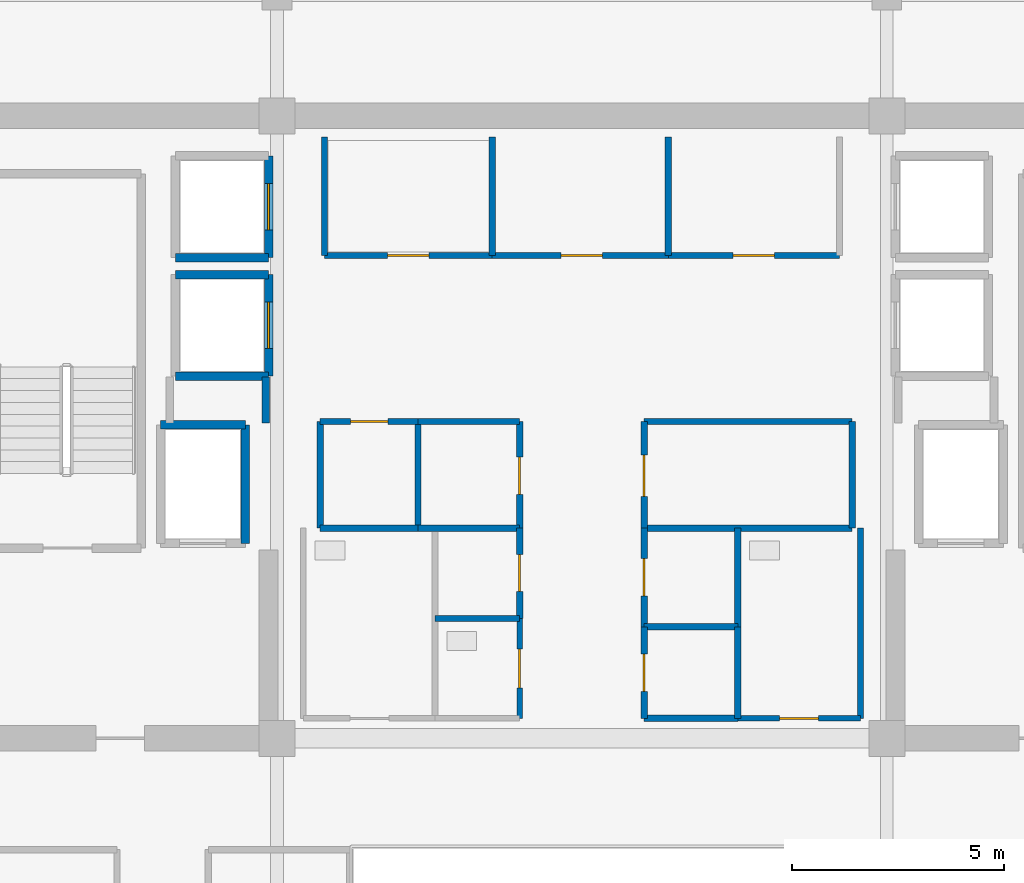
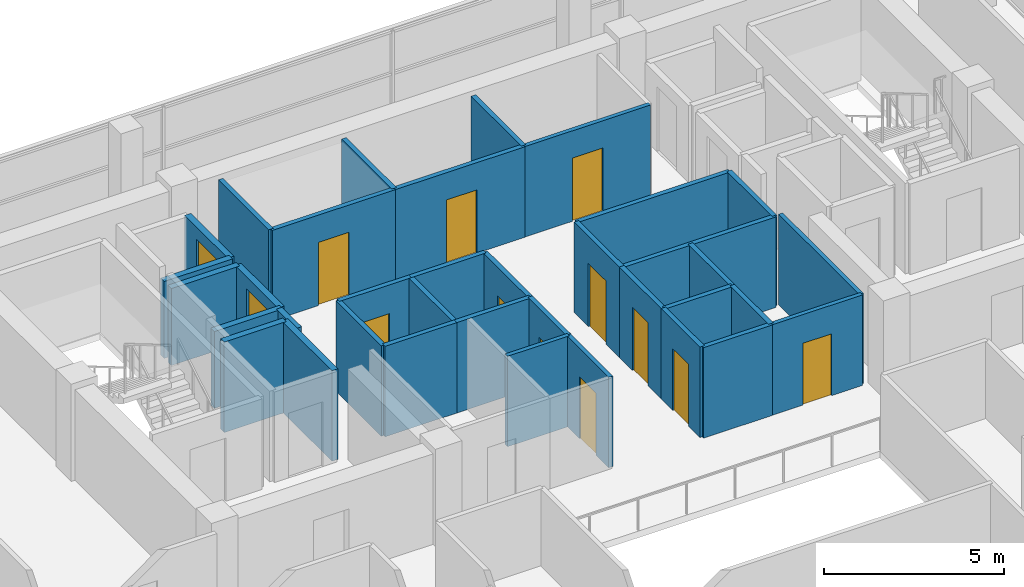
# One storey, part 16 of 22: 36 walls, 13 doors, 13 openings.
"""IFC4 building model written with IfcOpenShell, lengths in metres."""

from ifc_helpers import new_model, si_unit, direction, frame, frame_2d, origin, place, context, subcontext, project, spatial, rectangle, extrude, source, transform, mapped, material, layer, layer_set, type_object, element, fill, save


model = new_model("IFC4")

# Units and contexts
model_context = context("Model", 3, precision=1e-05, world=origin(), true_north=direction((0.0, 1.0)))
body_context = subcontext(model_context, "Body", "Model", "MODEL_VIEW")
ifc_project = project(units=[si_unit("LENGTHUNIT", "METRE"), si_unit("AREAUNIT", "SQUARE_METRE"), si_unit("VOLUMEUNIT", "CUBIC_METRE"), si_unit("PLANEANGLEUNIT", "RADIAN"), si_unit("MASSUNIT", "GRAM", prefix="KILO")], contexts=[model_context])

# Site, building, storey
site_placement = place(None, origin())
site = spatial("IfcSite", under=ifc_project, at=site_placement, CompositionType="ELEMENT")
building_placement = place(site_placement, origin())
building = spatial("IfcBuilding", under=site, at=building_placement, Name="Zarnakvel Exchange Tower", CompositionType="ELEMENT")
storey_placement = place(building_placement, frame((0.0, 0.0, 222.10009765625)))
storey = spatial("IfcBuildingStorey", under=building, at=storey_placement, Name="L62", CompositionType="ELEMENT", Elevation=222.10009765625)

# Wall, opening, door
ifc_material_1 = material(Name="Fire-Rated Gypsum Stud Partition", Category="gypsum")
ifc_layer_1 = layer(ifc_material_1, 0.14990234375)
ifc_layer_set_1 = layer_set([ifc_layer_1], Name="Fire-Rated Gypsum Stud Partition")
wall_type_1 = type_object("IfcWallType", Name="PT-01", PredefinedType="PARTITIONING", material=ifc_layer_set_1)
wall_1_placement = place(storey_placement, frame((-2.1201171875, 10.199951171875, 0.0), z_axis=(0.0, 0.0, 1.0), x_axis=(-1.0, 0.0, 0.0)))
wall_1 = element("IfcWall", 1, at=wall_1_placement, inside=storey, type_object=wall_type_1, Name="L62 Partition Wall PWALL-L62-011 (PT-01)", PredefinedType="PARTITIONING", context=body_context, shape_type="SweptSolid", body=[
    extrude(rectangle(XDim=3.9599609375, YDim=0.14990234375, at=frame_2d((1.97998046875, 0.0))), origin(), (0.0, 0.0, 1.0), 3.074951171875),
])
opening_1_placement = place(wall_1_placement, frame((1.489990234375, 0.0, 0.0)))
opening_1 = element("IfcOpeningElement", 2, at=opening_1_placement, cuts=wall_1, Name="Opening D-L62-05", PredefinedType="OPENING", context=body_context, shape_type="SweptSolid", body=[
    extrude(rectangle(XDim=0.97998046875, YDim=2.14990234375, at=frame_2d((0.489990234375, 1.074951171875))), frame((0.0, 0.0849609375, 0.0), z_axis=(0.0, -1.0, 0.0), x_axis=(1.0, 0.0, 0.0)), (0.0, 0.0, 1.0), 0.169921875),
])
ifc_material_2 = material(Name="Timber Acoustic Veneer", Category="wood")
door_type_1 = type_object("IfcDoorType", Name="DT-05", OperationType="NOTDEFINED", PredefinedType="DOOR", material=ifc_material_2)
shared_shape_1 = source(origin(), body_context, "Body", "SweptSolid", [
    extrude(rectangle(XDim=0.97998046875, YDim=2.14990234375, at=frame_2d((0.489990234375, 1.074951171875))), frame((0.0, 0.02490234375, 0.0), z_axis=(0.0, -1.0, 0.0), x_axis=(1.0, 0.0, 0.0)), (0.0, 0.0, 1.0), 0.050048828125),
])
door_1_placement = place(opening_1_placement, origin())
door_1 = element("IfcDoor", 3, at=door_1_placement, inside=storey, type_object=door_type_1, Name="L62 Clearing Records Office Door D-L62-05", OperationType="SINGLE_SWING_LEFT", OverallHeight=2.14990234375, OverallWidth=0.97998046875, PredefinedType="DOOR", context=body_context, shape_type="MappedRepresentation", body=[
    mapped(shared_shape_1, transform((0.0, 0.0, 0.0), x_axis=(1.0, 0.0, 0.0), y_axis=(0.0, 1.0, 0.0), z_axis=(0.0, 0.0, 1.0), scale=1.0)),
])
fill(opening_1, door_1)

# Walls
for number, where, z_axis, x_axis, name in (
    (4, (-6.080078125, 10.199951171875, 0.0), (0.0, 0.0, 1.0), (0.0, 1.0, 0.0), "L62 Partition Wall PWALL-L62-012 (PT-01)"),
    (5, (-2.1201171875, 13.0, 0.0), (0.0, 0.0, 1.0), (0.0, -1.0, 0.0), "L62 Partition Wall PWALL-L62-013 (PT-01)"),
):
    element("IfcWall", number, at=place(storey_placement, frame(where, z_axis=z_axis, x_axis=x_axis)), inside=storey, type_object=wall_type_1, Name=name, PredefinedType="PARTITIONING", context=body_context, shape_type="SweptSolid", body=[
        extrude(rectangle(XDim=2.800048828125, YDim=0.14990234375, at=frame_2d((1.39990234375, 0.0))), origin(), (0.0, 0.0, 1.0), 3.074951171875),
    ])

# Wall, opening, door
wall_2_placement = place(storey_placement, frame((2.0400390625, 10.199951171875, 0.0), z_axis=(0.0, 0.0, 1.0), x_axis=(-1.0, 0.0, 0.0)))
wall_2 = element("IfcWall", 6, at=wall_2_placement, inside=storey, type_object=wall_type_1, Name="L62 Partition Wall PWALL-L62-014 (PT-01)", PredefinedType="PARTITIONING", context=body_context, shape_type="SweptSolid", body=[
    extrude(rectangle(XDim=4.16015625, YDim=0.14990234375, at=frame_2d((2.080078125, 0.0))), origin(), (0.0, 0.0, 1.0), 3.074951171875),
])
opening_2_placement = place(wall_2_placement, frame((1.550048828125, 0.0, 0.0)))
opening_2 = element("IfcOpeningElement", 7, at=opening_2_placement, cuts=wall_2, Name="Opening D-L62-06", PredefinedType="OPENING", context=body_context, shape_type="SweptSolid", body=[
    extrude(rectangle(XDim=0.97998046875, YDim=2.14990234375, at=frame_2d((0.489990234375, 1.074951171875))), frame((0.0, 0.0849609375, 0.0), z_axis=(0.0, -1.0, 0.0), x_axis=(1.0, 0.0, 0.0)), (0.0, 0.0, 1.0), 0.169921875),
])
door_2_placement = place(opening_2_placement, origin())
door_2 = element("IfcDoor", 8, at=door_2_placement, inside=storey, type_object=door_type_1, Name="L62 Brokerage Filing Room Door D-L62-06", OperationType="SINGLE_SWING_RIGHT", OverallHeight=2.14990234375, OverallWidth=0.97998046875, PredefinedType="DOOR", context=body_context, shape_type="MappedRepresentation", body=[
    mapped(shared_shape_1, transform((0.0, 0.0, 0.0), x_axis=(1.0, 0.0, 0.0), y_axis=(0.0, 1.0, 0.0), z_axis=(0.0, 0.0, 1.0), scale=1.0)),
])
fill(opening_2, door_2)

# Walls
wall_3_placement = place(storey_placement, frame((2.0400390625, 13.0, 0.0), z_axis=(0.0, 0.0, 1.0), x_axis=(0.0, -1.0, 0.0)))
element("IfcWall", 9, at=wall_3_placement, inside=storey, type_object=wall_type_1, Name="L62 Partition Wall PWALL-L62-015 (PT-01)", PredefinedType="PARTITIONING", context=body_context, shape_type="SweptSolid", body=[
    extrude(rectangle(XDim=2.800048828125, YDim=0.14990234375, at=frame_2d((1.39990234375, 0.0))), origin(), (0.0, 0.0, 1.0), 3.074951171875),
])
wall_4_placement = place(storey_placement, frame((-3.8701171875, 3.760009765625, 0.0), z_axis=(0.0, 0.0, 1.0), x_axis=(-1.0, 0.0, 0.0)))
element("IfcWall", 10, at=wall_4_placement, inside=storey, type_object=wall_type_1, Name="L62 Partition Wall PWALL-L62-018 (PT-01)", PredefinedType="PARTITIONING", context=body_context, shape_type="SweptSolid", body=[
    extrude(rectangle(XDim=2.309814453125, YDim=0.14990234375, at=frame_2d((1.15478515625, 0.0))), origin(), (0.0, 0.0, 1.0), 3.074951171875),
])

# Wall, opening, door
wall_5_placement = place(storey_placement, frame((-6.179931640625, 6.280029296875, 0.0), z_axis=(0.0, 0.0, 1.0), x_axis=(1.0, 0.0, 0.0)))
wall_5 = element("IfcWall", 11, at=wall_5_placement, inside=storey, type_object=wall_type_1, Name="L62 Partition Wall PWALL-L62-019 (PT-01)", PredefinedType="PARTITIONING", context=body_context, shape_type="SweptSolid", body=[
    extrude(rectangle(XDim=2.309814453125, YDim=0.14990234375, at=frame_2d((1.15478515625, 0.0))), origin(), (0.0, 0.0, 1.0), 3.074951171875),
])
opening_3_placement = place(wall_5_placement, frame((0.719970703125, 0.0, 0.0)))
opening_3 = element("IfcOpeningElement", 12, at=opening_3_placement, cuts=wall_5, Name="Opening D-L62-08", PredefinedType="OPENING", context=body_context, shape_type="SweptSolid", body=[
    extrude(rectangle(XDim=0.8798828125, YDim=2.10009765625, at=frame_2d((0.43994140625, 1.050048828125))), frame((0.0, 0.0849609375, 0.0), z_axis=(0.0, -1.0, 0.0), x_axis=(1.0, 0.0, 0.0)), (0.0, 0.0, 1.0), 0.169921875),
])
ifc_material_3 = material(Name="Painted Galvanised Steel S355", Category="steel")
door_type_2 = type_object("IfcDoorType", Name="DT-08", OperationType="NOTDEFINED", PredefinedType="DOOR", material=ifc_material_3)
shared_shape_2 = source(origin(), body_context, "Body", "SweptSolid", [
    extrude(rectangle(XDim=0.8798828125, YDim=2.10009765625, at=frame_2d((0.43994140625, 1.050048828125))), frame((0.0, 0.02490234375, 0.0), z_axis=(0.0, -1.0, 0.0), x_axis=(1.0, 0.0, 0.0)), (0.0, 0.0, 1.0), 0.050048828125),
])
door_3_placement = place(opening_3_placement, origin())
door_3 = element("IfcDoor", 13, at=door_3_placement, inside=storey, type_object=door_type_2, Name="L62 Audit Filing Store Door D-L62-08", OperationType="SINGLE_SWING_RIGHT", OverallHeight=2.10009765625, OverallWidth=0.8798828125, PredefinedType="DOOR", context=body_context, shape_type="MappedRepresentation", body=[
    mapped(shared_shape_2, transform((0.0, 0.0, 0.0), x_axis=(1.0, 0.0, 0.0), y_axis=(0.0, 1.0, 0.0), z_axis=(0.0, 0.0, 1.0), scale=1.0)),
])
fill(opening_3, door_3)

# Walls
for number, where, z_axis, x_axis, name in (
    (14, (-6.179931640625, 3.760009765625, 0.0), (0.0, 0.0, 1.0), (0.0, 1.0, 0.0), "L62 Partition Wall PWALL-L62-020 (PT-01)"),
    (15, (-3.8701171875, 6.280029296875, 0.0), (0.0, 0.0, 1.0), (0.0, -1.0, 0.0), "L62 Partition Wall PWALL-L62-021 (PT-01)"),
):
    element("IfcWall", number, at=place(storey_placement, frame(where, z_axis=z_axis, x_axis=x_axis)), inside=storey, type_object=wall_type_1, Name=name, PredefinedType="PARTITIONING", context=body_context, shape_type="SweptSolid", body=[
        extrude(rectangle(XDim=2.52001953125, YDim=0.14990234375, at=frame_2d((1.260009765625, 0.0))), origin(), (0.0, 0.0, 1.0), 3.074951171875),
    ])
for number, where, z_axis, x_axis, name in (
    (16, (-1.469970703125, 3.760009765625, 0.0), (0.0, 0.0, 1.0), (-1.0, 0.0, 0.0), "L62 Partition Wall PWALL-L62-022 (PT-01)"),
    (17, (-3.8701171875, 6.280029296875, 0.0), (0.0, 0.0, 1.0), (1.0, 0.0, 0.0), "L62 Partition Wall PWALL-L62-023 (PT-01)"),
):
    element("IfcWall", number, at=place(storey_placement, frame(where, z_axis=z_axis, x_axis=x_axis)), inside=storey, type_object=wall_type_1, Name=name, PredefinedType="PARTITIONING", context=body_context, shape_type="SweptSolid", body=[
        extrude(rectangle(XDim=2.400146484375, YDim=0.14990234375, at=frame_2d((1.2001953125, 0.0))), origin(), (0.0, 0.0, 1.0), 3.074951171875),
    ])

# Wall, opening, door
wall_6_placement = place(storey_placement, frame((-1.469970703125, 6.280029296875, 0.0), z_axis=(0.0, 0.0, 1.0), x_axis=(0.0, -1.0, 0.0)))
wall_6 = element("IfcWall", 18, at=wall_6_placement, inside=storey, type_object=wall_type_1, Name="L62 Partition Wall PWALL-L62-024 (PT-01)", PredefinedType="PARTITIONING", context=body_context, shape_type="SweptSolid", body=[
    extrude(rectangle(XDim=2.52001953125, YDim=0.14990234375, at=frame_2d((1.260009765625, 0.0))), origin(), (0.0, 0.0, 1.0), 3.074951171875),
])
opening_4_placement = place(wall_6_placement, frame((0.840087890625, 0.0, 0.0)))
opening_4 = element("IfcOpeningElement", 19, at=opening_4_placement, cuts=wall_6, Name="Opening D-L62-09", PredefinedType="OPENING", context=body_context, shape_type="SweptSolid", body=[
    extrude(rectangle(XDim=0.8798828125, YDim=2.10009765625, at=frame_2d((0.43994140625, 1.050048828125))), frame((0.0, 0.0849609375, 0.0), z_axis=(0.0, -1.0, 0.0), x_axis=(1.0, 0.0, 0.0)), (0.0, 0.0, 1.0), 0.169921875),
])
door_4_placement = place(opening_4_placement, origin())
door_4 = element("IfcDoor", 20, at=door_4_placement, inside=storey, type_object=door_type_2, Name="L62 Core Records Store Door D-L62-09", OperationType="SINGLE_SWING_LEFT", OverallHeight=2.10009765625, OverallWidth=0.8798828125, PredefinedType="DOOR", context=body_context, shape_type="MappedRepresentation", body=[
    mapped(shared_shape_2, transform((0.0, 0.0, 0.0), x_axis=(1.0, 0.0, 0.0), y_axis=(0.0, 1.0, 0.0), z_axis=(0.0, 0.0, 1.0), scale=1.0)),
])
fill(opening_4, door_4)

# Walls
for number, where, z_axis, x_axis, name in (
    (21, (6.3798828125, 3.760009765625, 0.0), (0.0, 0.0, 1.0), (-1.0, 0.0, 0.0), "L62 Partition Wall PWALL-L62-025 (PT-01)"),
    (22, (1.469970703125, 6.280029296875, 0.0), (0.0, 0.0, 1.0), (1.0, 0.0, 0.0), "L62 Partition Wall PWALL-L62-026 (PT-01)"),
):
    element("IfcWall", number, at=place(storey_placement, frame(where, z_axis=z_axis, x_axis=x_axis)), inside=storey, type_object=wall_type_1, Name=name, PredefinedType="PARTITIONING", context=body_context, shape_type="SweptSolid", body=[
        extrude(rectangle(XDim=4.909912109375, YDim=0.14990234375, at=frame_2d((2.455078125, 0.0))), origin(), (0.0, 0.0, 1.0), 3.074951171875),
    ])

# Wall, opening, door
wall_7_placement = place(storey_placement, frame((1.469970703125, 3.760009765625, 0.0), z_axis=(0.0, 0.0, 1.0), x_axis=(0.0, 1.0, 0.0)))
wall_7 = element("IfcWall", 23, at=wall_7_placement, inside=storey, type_object=wall_type_1, Name="L62 Partition Wall PWALL-L62-027 (PT-01)", PredefinedType="PARTITIONING", context=body_context, shape_type="SweptSolid", body=[
    extrude(rectangle(XDim=2.52001953125, YDim=0.14990234375, at=frame_2d((1.260009765625, 0.0))), origin(), (0.0, 0.0, 1.0), 3.074951171875),
])
opening_5_placement = place(wall_7_placement, frame((0.75, 0.0, 0.0)))
opening_5 = element("IfcOpeningElement", 24, at=opening_5_placement, cuts=wall_7, Name="Opening D-L62-10", PredefinedType="OPENING", context=body_context, shape_type="SweptSolid", body=[
    extrude(rectangle(XDim=0.97998046875, YDim=2.14990234375, at=frame_2d((0.489990234375, 1.074951171875))), frame((0.0, 0.0849609375, 0.0), z_axis=(0.0, -1.0, 0.0), x_axis=(1.0, 0.0, 0.0)), (0.0, 0.0, 1.0), 0.169921875),
])
door_5_placement = place(opening_5_placement, origin())
door_5 = element("IfcDoor", 25, at=door_5_placement, inside=storey, type_object=door_type_1, Name="L62 Telemetry Server Suite Door D-L62-10", OperationType="SINGLE_SWING_RIGHT", OverallHeight=2.14990234375, OverallWidth=0.97998046875, PredefinedType="DOOR", context=body_context, shape_type="MappedRepresentation", body=[
    mapped(shared_shape_1, transform((0.0, 0.0, 0.0), x_axis=(1.0, 0.0, 0.0), y_axis=(0.0, 1.0, 0.0), z_axis=(0.0, 0.0, 1.0), scale=1.0)),
])
fill(opening_5, door_5)

# Wall
wall_8_placement = place(storey_placement, frame((6.3798828125, 6.280029296875, 0.0), z_axis=(0.0, 0.0, 1.0), x_axis=(0.0, -1.0, 0.0)))
element("IfcWall", 26, at=wall_8_placement, inside=storey, type_object=wall_type_1, Name="L62 Partition Wall PWALL-L62-028 (PT-01)", PredefinedType="PARTITIONING", context=body_context, shape_type="SweptSolid", body=[
    extrude(rectangle(XDim=2.52001953125, YDim=0.14990234375, at=frame_2d((1.260009765625, 0.0))), origin(), (0.0, 0.0, 1.0), 3.074951171875),
])

# Wall, opening, door
wall_9_placement = place(storey_placement, frame((-1.469970703125, 3.760009765625, 0.0), z_axis=(0.0, 0.0, 1.0), x_axis=(0.0, -1.0, 0.0)))
wall_9 = element("IfcWall", 27, at=wall_9_placement, inside=storey, type_object=wall_type_1, Name="L62 Partition Wall PWALL-L62-035 (PT-01)", PredefinedType="PARTITIONING", context=body_context, shape_type="SweptSolid", body=[
    extrude(rectangle(XDim=2.130126953125, YDim=0.14990234375, at=frame_2d((1.06494140625, 0.0))), origin(), (0.0, 0.0, 1.0), 3.074951171875),
])
opening_6_placement = place(wall_9_placement, frame((0.6201171875, 0.0, 0.0)))
opening_6 = element("IfcOpeningElement", 28, at=opening_6_placement, cuts=wall_9, Name="Opening D-L62-13", PredefinedType="OPENING", context=body_context, shape_type="SweptSolid", body=[
    extrude(rectangle(XDim=0.8798828125, YDim=2.10009765625, at=frame_2d((0.43994140625, 1.050048828125))), frame((0.0, 0.0849609375, 0.0), z_axis=(0.0, -1.0, 0.0), x_axis=(1.0, 0.0, 0.0)), (0.0, 0.0, 1.0), 0.169921875),
])
door_6_placement = place(opening_6_placement, origin())
door_6 = element("IfcDoor", 29, at=door_6_placement, inside=storey, type_object=door_type_2, Name="L62 Core Comms Room Door D-L62-13", OperationType="SINGLE_SWING_LEFT", OverallHeight=2.10009765625, OverallWidth=0.8798828125, PredefinedType="DOOR", context=body_context, shape_type="MappedRepresentation", body=[
    mapped(shared_shape_2, transform((0.0, 0.0, 0.0), x_axis=(1.0, 0.0, 0.0), y_axis=(0.0, 1.0, 0.0), z_axis=(0.0, 0.0, 1.0), scale=1.0)),
])
fill(opening_6, door_6)

# Walls
for number, where, z_axis, x_axis, name in (
    (30, (3.679931640625, -0.72998046875, 0.0), (0.0, 0.0, 1.0), (-1.0, 0.0, 0.0), "L62 Partition Wall PWALL-L62-036 (PT-01)"),
    (31, (1.469970703125, 1.429931640625, 0.0), (0.0, 0.0, 1.0), (1.0, 0.0, 0.0), "L62 Partition Wall PWALL-L62-037 (PT-01)"),
):
    element("IfcWall", number, at=place(storey_placement, frame(where, z_axis=z_axis, x_axis=x_axis)), inside=storey, type_object=wall_type_1, Name=name, PredefinedType="PARTITIONING", context=body_context, shape_type="SweptSolid", body=[
        extrude(rectangle(XDim=2.2099609375, YDim=0.14990234375, at=frame_2d((1.10498046875, 0.0))), origin(), (0.0, 0.0, 1.0), 3.074951171875),
    ])

# Wall, opening, door
wall_10_placement = place(storey_placement, frame((1.469970703125, -0.72998046875, 0.0), z_axis=(0.0, 0.0, 1.0), x_axis=(0.0, 1.0, 0.0)))
wall_10 = element("IfcWall", 32, at=wall_10_placement, inside=storey, type_object=wall_type_1, Name="L62 Partition Wall PWALL-L62-038 (PT-01)", PredefinedType="PARTITIONING", context=body_context, shape_type="SweptSolid", body=[
    extrude(rectangle(XDim=2.159912109375, YDim=0.14990234375, at=frame_2d((1.080078125, 0.0))), origin(), (0.0, 0.0, 1.0), 3.074951171875),
])
opening_7_placement = place(wall_10_placement, frame((0.639892578125, 0.0, 0.0)))
opening_7 = element("IfcOpeningElement", 33, at=opening_7_placement, cuts=wall_10, Name="Opening D-L62-14", PredefinedType="OPENING", context=body_context, shape_type="SweptSolid", body=[
    extrude(rectangle(XDim=0.8798828125, YDim=2.10009765625, at=frame_2d((0.43994140625, 1.050048828125))), frame((0.0, 0.0849609375, 0.0), z_axis=(0.0, -1.0, 0.0), x_axis=(1.0, 0.0, 0.0)), (0.0, 0.0, 1.0), 0.169921875),
])
door_7_placement = place(opening_7_placement, origin())
door_7 = element("IfcDoor", 34, at=door_7_placement, inside=storey, type_object=door_type_2, Name="L62 Janitor Store Door D-L62-14", OperationType="SINGLE_SWING_RIGHT", OverallHeight=2.10009765625, OverallWidth=0.8798828125, PredefinedType="DOOR", context=body_context, shape_type="MappedRepresentation", body=[
    mapped(shared_shape_2, transform((0.0, 0.0, 0.0), x_axis=(1.0, 0.0, 0.0), y_axis=(0.0, 1.0, 0.0), z_axis=(0.0, 0.0, 1.0), scale=1.0)),
])
fill(opening_7, door_7)

# Wall
wall_11_placement = place(storey_placement, frame((3.679931640625, 1.429931640625, 0.0), z_axis=(0.0, 0.0, 1.0), x_axis=(0.0, -1.0, 0.0)))
element("IfcWall", 35, at=wall_11_placement, inside=storey, type_object=wall_type_1, Name="L62 Partition Wall PWALL-L62-039 (PT-01)", PredefinedType="PARTITIONING", context=body_context, shape_type="SweptSolid", body=[
    extrude(rectangle(XDim=2.159912109375, YDim=0.14990234375, at=frame_2d((1.080078125, 0.0))), origin(), (0.0, 0.0, 1.0), 3.074951171875),
])

# Wall, opening, door
wall_12_placement = place(storey_placement, frame((1.469970703125, 1.429931640625, 0.0), z_axis=(0.0, 0.0, 1.0), x_axis=(0.0, 1.0, 0.0)))
wall_12 = element("IfcWall", 36, at=wall_12_placement, inside=storey, type_object=wall_type_1, Name="L62 Partition Wall PWALL-L62-040 (PT-01)", PredefinedType="PARTITIONING", context=body_context, shape_type="SweptSolid", body=[
    extrude(rectangle(XDim=2.330078125, YDim=0.14990234375, at=frame_2d((1.1650390625, 0.0))), origin(), (0.0, 0.0, 1.0), 3.074951171875),
])
opening_8_placement = place(wall_12_placement, frame((0.72998046875, 0.0, 0.0)))
opening_8 = element("IfcOpeningElement", 37, at=opening_8_placement, cuts=wall_12, Name="Opening D-L62-15", PredefinedType="OPENING", context=body_context, shape_type="SweptSolid", body=[
    extrude(rectangle(XDim=0.8798828125, YDim=2.14990234375, at=frame_2d((0.43994140625, 1.074951171875))), frame((0.0, 0.0849609375, 0.0), z_axis=(0.0, -1.0, 0.0), x_axis=(1.0, 0.0, 0.0)), (0.0, 0.0, 1.0), 0.169921875),
])
shared_shape_3 = source(origin(), body_context, "Body", "SweptSolid", [
    extrude(rectangle(XDim=0.8798828125, YDim=2.14990234375, at=frame_2d((0.43994140625, 1.074951171875))), frame((0.0, 0.02490234375, 0.0), z_axis=(0.0, -1.0, 0.0), x_axis=(1.0, 0.0, 0.0)), (0.0, 0.0, 1.0), 0.050048828125),
])
door_8_placement = place(opening_8_placement, origin())
door_8 = element("IfcDoor", 38, at=door_8_placement, inside=storey, type_object=door_type_1, Name="L62 Stationery Store Door D-L62-15", OperationType="SINGLE_SWING_LEFT", OverallHeight=2.14990234375, OverallWidth=0.8798828125, PredefinedType="DOOR", context=body_context, shape_type="MappedRepresentation", body=[
    mapped(shared_shape_3, transform((0.0, 0.0, 0.0), x_axis=(1.0, 0.0, 0.0), y_axis=(0.0, 1.0, 0.0), z_axis=(0.0, 0.0, 1.0), scale=1.0)),
])
fill(opening_8, door_8)

# Walls
wall_13_placement = place(storey_placement, frame((3.679931640625, 3.760009765625, 0.0), z_axis=(0.0, 0.0, 1.0), x_axis=(0.0, -1.0, 0.0)))
element("IfcWall", 39, at=wall_13_placement, inside=storey, type_object=wall_type_1, Name="L62 Partition Wall PWALL-L62-041 (PT-01)", PredefinedType="PARTITIONING", context=body_context, shape_type="SweptSolid", body=[
    extrude(rectangle(XDim=2.330078125, YDim=0.14990234375, at=frame_2d((1.1650390625, 0.0))), origin(), (0.0, 0.0, 1.0), 3.074951171875),
])
ifc_layer_2 = layer(ifc_material_1, 0.179931640625)
ifc_layer_set_2 = layer_set([ifc_layer_2], Name="Fire-Rated Gypsum Stud Partition")
wall_type_2 = type_object("IfcWallType", Name="PT-02", PredefinedType="PARTITIONING", material=ifc_layer_set_2)
wall_14_placement = place(storey_placement, frame((-7.469970703125, 7.330078125, 0.0), z_axis=(0.0, 0.0, 1.0), x_axis=(0.0, -1.0, 0.0)))
element("IfcWall", 40, at=wall_14_placement, inside=storey, type_object=wall_type_2, Name="L62 Partition Wall PWALL-L62-008 (PT-02)", PredefinedType="PARTITIONING", context=body_context, shape_type="SweptSolid", body=[
    extrude(rectangle(XDim=1.090087890625, YDim=0.179931640625, at=frame_2d((0.544921875, 0.0))), origin(), (0.0, 0.0, 1.0), 2.614990234375),
])

# Wall, opening, door
ifc_material_4 = material(Name="Moisture-Resistant Tile-Faced Partition", Category="gypsum")
ifc_layer_3 = layer(ifc_material_4, 0.135009765625)
ifc_layer_set_3 = layer_set([ifc_layer_3], Name="Moisture-Resistant Tile-Faced Partition")
wall_type_3 = type_object("IfcWallType", Name="PT-03", PredefinedType="PARTITIONING", material=ifc_layer_set_3)
wall_15_placement = place(storey_placement, frame((6.080078125, 10.199951171875, 0.0), z_axis=(0.0, 0.0, 1.0), x_axis=(-1.0, 0.0, 0.0)))
wall_15 = element("IfcWall", 41, at=wall_15_placement, inside=storey, type_object=wall_type_3, Name="L62 Partition Wall PWALL-L62-016 (PT-03)", PredefinedType="PARTITIONING", context=body_context, shape_type="SweptSolid", body=[
    extrude(rectangle(XDim=4.0400390625, YDim=0.135009765625, at=frame_2d((2.02001953125, 0.0))), origin(), (0.0, 0.0, 1.0), 3.074951171875),
])
opening_9_placement = place(wall_15_placement, frame((1.530029296875, 0.0, 0.0)))
opening_9 = element("IfcOpeningElement", 42, at=opening_9_placement, cuts=wall_15, Name="Opening D-L62-07", PredefinedType="OPENING", context=body_context, shape_type="SweptSolid", body=[
    extrude(rectangle(XDim=0.97998046875, YDim=2.14990234375, at=frame_2d((0.489990234375, 1.074951171875))), frame((0.0, 0.077392578125, 0.0), z_axis=(0.0, -1.0, 0.0), x_axis=(1.0, 0.0, 0.0)), (0.0, 0.0, 1.0), 0.155029296875),
])
door_9_placement = place(opening_9_placement, origin())
door_9 = element("IfcDoor", 43, at=door_9_placement, inside=storey, type_object=door_type_1, Name="L62 Executive Tea Pantry Door D-L62-07", OperationType="SINGLE_SWING_LEFT", OverallHeight=2.14990234375, OverallWidth=0.97998046875, PredefinedType="DOOR", context=body_context, shape_type="MappedRepresentation", body=[
    mapped(shared_shape_1, transform((0.0, 0.0, 0.0), x_axis=(1.0, 0.0, 0.0), y_axis=(0.0, 1.0, 0.0), z_axis=(0.0, 0.0, 1.0), scale=1.0)),
])
fill(opening_9, door_9)

# Wall
wall_16_placement = place(storey_placement, frame((-3.469970703125, 1.6298828125, 0.0), z_axis=(0.0, 0.0, 1.0), x_axis=(1.0, 0.0, 0.0)))
element("IfcWall", 44, at=wall_16_placement, inside=storey, type_object=wall_type_3, Name="L62 Partition Wall PWALL-L62-033 (PT-03)", PredefinedType="PARTITIONING", context=body_context, shape_type="SweptSolid", body=[
    extrude(rectangle(XDim=2.0, YDim=0.135009765625, at=frame_2d((1.0, 0.0))), origin(), (0.0, 0.0, 1.0), 3.074951171875),
])

# Wall, opening, door
wall_17_placement = place(storey_placement, frame((-1.469970703125, 1.6298828125, 0.0), z_axis=(0.0, 0.0, 1.0), x_axis=(0.0, -1.0, 0.0)))
wall_17 = element("IfcWall", 45, at=wall_17_placement, inside=storey, type_object=wall_type_3, Name="L62 Partition Wall PWALL-L62-034 (PT-03)", PredefinedType="PARTITIONING", context=body_context, shape_type="SweptSolid", body=[
    extrude(rectangle(XDim=2.35986328125, YDim=0.135009765625, at=frame_2d((1.179931640625, 0.0))), origin(), (0.0, 0.0, 1.0), 3.074951171875),
])
opening_10_placement = place(wall_17_placement, frame((0.719970703125, 0.0, 0.0)))
opening_10 = element("IfcOpeningElement", 46, at=opening_10_placement, cuts=wall_17, Name="Opening D-L62-12", PredefinedType="OPENING", context=body_context, shape_type="SweptSolid", body=[
    extrude(rectangle(XDim=0.919921875, YDim=2.10009765625, at=frame_2d((0.4599609375, 1.050048828125))), frame((0.0, 0.077392578125, 0.0), z_axis=(0.0, -1.0, 0.0), x_axis=(1.0, 0.0, 0.0)), (0.0, 0.0, 1.0), 0.155029296875),
])
ifc_material_5 = material(Name="Moisture-Resistant Laminate Timber", Category="wood")
door_type_3 = type_object("IfcDoorType", Name="DT-07", OperationType="NOTDEFINED", PredefinedType="DOOR", material=ifc_material_5)
shared_shape_4 = source(origin(), body_context, "Body", "SweptSolid", [
    extrude(rectangle(XDim=0.919921875, YDim=2.10009765625, at=frame_2d((0.4599609375, 1.050048828125))), frame((0.0, 0.02490234375, 0.0), z_axis=(0.0, -1.0, 0.0), x_axis=(1.0, 0.0, 0.0)), (0.0, 0.0, 1.0), 0.050048828125),
])
door_10_placement = place(opening_10_placement, origin())
door_10 = element("IfcDoor", 47, at=door_10_placement, inside=storey, type_object=door_type_3, Name="L62 Accessible Toilet Door D-L62-12", OperationType="SINGLE_SWING_RIGHT", OverallHeight=2.10009765625, OverallWidth=0.919921875, PredefinedType="DOOR", context=body_context, shape_type="MappedRepresentation", body=[
    mapped(shared_shape_4, transform((0.0, 0.0, 0.0), x_axis=(1.0, 0.0, 0.0), y_axis=(0.0, 1.0, 0.0), z_axis=(0.0, 0.0, 1.0), scale=1.0)),
])
fill(opening_10, door_10)

wall_18_placement = place(storey_placement, frame((6.580078125, -0.72998046875, 0.0), z_axis=(0.0, 0.0, 1.0), x_axis=(-1.0, 0.0, 0.0)))
wall_18 = element("IfcWall", 48, at=wall_18_placement, inside=storey, type_object=wall_type_3, Name="L62 Partition Wall PWALL-L62-042 (PT-03)", PredefinedType="PARTITIONING", context=body_context, shape_type="SweptSolid", body=[
    extrude(rectangle(XDim=2.900146484375, YDim=0.135009765625, at=frame_2d((1.4501953125, 0.0))), origin(), (0.0, 0.0, 1.0), 3.074951171875),
])
opening_11_placement = place(wall_18_placement, frame((0.989990234375, 0.0, 0.0)))
opening_11 = element("IfcOpeningElement", 49, at=opening_11_placement, cuts=wall_18, Name="Opening D-L62-16", PredefinedType="OPENING", context=body_context, shape_type="SweptSolid", body=[
    extrude(rectangle(XDim=0.919921875, YDim=2.10009765625, at=frame_2d((0.4599609375, 1.050048828125))), frame((0.0, 0.077392578125, 0.0), z_axis=(0.0, -1.0, 0.0), x_axis=(1.0, 0.0, 0.0)), (0.0, 0.0, 1.0), 0.155029296875),
])
door_11_placement = place(opening_11_placement, origin())
door_11 = element("IfcDoor", 50, at=door_11_placement, inside=storey, type_object=door_type_3, Name="L62 Female Toilet Door D-L62-16", OperationType="SINGLE_SWING_RIGHT", OverallHeight=2.10009765625, OverallWidth=0.919921875, PredefinedType="DOOR", context=body_context, shape_type="MappedRepresentation", body=[
    mapped(shared_shape_4, transform((0.0, 0.0, 0.0), x_axis=(1.0, 0.0, 0.0), y_axis=(0.0, 1.0, 0.0), z_axis=(0.0, 0.0, 1.0), scale=1.0)),
])
fill(opening_11, door_11)

# Walls
wall_19_placement = place(storey_placement, frame((6.580078125, 3.760009765625, 0.0), z_axis=(0.0, 0.0, 1.0), x_axis=(0.0, -1.0, 0.0)))
element("IfcWall", 51, at=wall_19_placement, inside=storey, type_object=wall_type_3, Name="L62 Partition Wall PWALL-L62-043 (PT-03)", PredefinedType="PARTITIONING", context=body_context, shape_type="SweptSolid", body=[
    extrude(rectangle(XDim=4.489990234375, YDim=0.135009765625, at=frame_2d((2.2451171875, 0.0))), origin(), (0.0, 0.0, 1.0), 3.074951171875),
])
ifc_material_6 = material(Name="Concrete C40/50", Category="concrete")
ifc_layer_4 = layer(ifc_material_6, 0.199951171875)
ifc_layer_set_4 = layer_set([ifc_layer_4], Name="Concrete C40/50")
wall_type_4 = type_object("IfcWallType", Name="SW-01", PredefinedType="SOLIDWALL", material=ifc_layer_set_4)
wall_20_placement = place(storey_placement, frame((-9.949951171875, 6.199951171875, 0.0), z_axis=(0.0, 0.0, 1.0), x_axis=(1.0, 0.0, 0.0)))
element("IfcWall", 52, at=wall_20_placement, inside=storey, type_object=wall_type_4, Name="L62 FL-01 Hoistway Wall North", PredefinedType="SOLIDWALL", context=body_context, shape_type="SweptSolid", body=[
    extrude(rectangle(XDim=2.0, YDim=0.199951171875, at=frame_2d((1.0, 0.0))), origin(), (0.0, 0.0, 1.0), 3.074951171875),
])
wall_21_placement = place(storey_placement, frame((-7.949951171875, 6.199951171875, 0.0), z_axis=(0.0, 0.0, 1.0), x_axis=(0.0, -1.0, 0.0)))
element("IfcWall", 53, at=wall_21_placement, inside=storey, type_object=wall_type_4, Name="L62 FL-01 Hoistway Wall East", PredefinedType="SOLIDWALL", context=body_context, shape_type="SweptSolid", body=[
    extrude(rectangle(XDim=2.800048828125, YDim=0.199951171875, at=frame_2d((1.39990234375, 0.0))), origin(), (0.0, 0.0, 1.0), 3.074951171875),
])
for number, where, z_axis, x_axis, name in (
    (54, (-7.39990234375, 7.35009765625, 0.0), (0.0, 0.0, 1.0), (-1.0, 0.0, 0.0), "L62 PL-09 Hoistway Wall South"),
    (55, (-9.60009765625, 9.75, 0.0), (0.0, 0.0, 1.0), (1.0, 0.0, 0.0), "L62 PL-09 Hoistway Wall North"),
):
    element("IfcWall", number, at=place(storey_placement, frame(where, z_axis=z_axis, x_axis=x_axis)), inside=storey, type_object=wall_type_4, Name=name, PredefinedType="SOLIDWALL", context=body_context, shape_type="SweptSolid", body=[
        extrude(rectangle(XDim=2.2001953125, YDim=0.199951171875, at=frame_2d((1.10009765625, 0.0))), origin(), (0.0, 0.0, 1.0), 2.614990234375),
    ])

# Wall, opening, door
wall_22_placement = place(storey_placement, frame((-7.39990234375, 9.75, 0.0), z_axis=(0.0, 0.0, 1.0), x_axis=(0.0, -1.0, 0.0)))
wall_22 = element("IfcWall", 56, at=wall_22_placement, inside=storey, type_object=wall_type_4, Name="L62 PL-09 Hoistway Wall East", PredefinedType="SOLIDWALL", context=body_context, shape_type="SweptSolid", body=[
    extrude(rectangle(XDim=2.39990234375, YDim=0.199951171875, at=frame_2d((1.199951171875, 0.0))), origin(), (0.0, 0.0, 1.0), 2.614990234375),
])
opening_12_placement = place(wall_22_placement, frame((0.64990234375, 0.0, 0.0)))
opening_12 = element("IfcOpeningElement", 57, at=opening_12_placement, cuts=wall_22, Name="Opening LD-PL-09-L62", PredefinedType="OPENING", context=body_context, shape_type="SweptSolid", body=[
    extrude(rectangle(XDim=1.10009765625, YDim=2.199951171875, at=frame_2d((0.550048828125, 1.10009765625))), frame((0.0, 0.10986328125, 0.0), z_axis=(0.0, -1.0, 0.0), x_axis=(1.0, 0.0, 0.0)), (0.0, 0.0, 1.0), 0.219970703125),
])
ifc_material_7 = material(Name="Architectural Bronze Anodised Aluminium", Category="aluminium")
door_type_4 = type_object("IfcDoorType", Name="LDT-02", OperationType="NOTDEFINED", PredefinedType="DOOR", material=ifc_material_7)
shared_shape_5 = source(origin(), body_context, "Body", "SweptSolid", [
    extrude(rectangle(XDim=1.10009765625, YDim=2.199951171875, at=frame_2d((0.550048828125, 1.10009765625))), frame((0.0, 0.02490234375, 0.0), z_axis=(0.0, -1.0, 0.0), x_axis=(1.0, 0.0, 0.0)), (0.0, 0.0, 1.0), 0.050048828125),
])
door_12_placement = place(opening_12_placement, origin())
door_12 = element("IfcDoor", 58, at=door_12_placement, inside=storey, type_object=door_type_4, Name="L62 PL-09 Lift Landing Door LD-PL-09-L62", OperationType="DOUBLE_DOOR_SLIDING", OverallHeight=2.199951171875, OverallWidth=1.10009765625, PredefinedType="DOOR", context=body_context, shape_type="MappedRepresentation", body=[
    mapped(shared_shape_5, transform((0.0, 0.0, 0.0), x_axis=(1.0, 0.0, 0.0), y_axis=(0.0, 1.0, 0.0), z_axis=(0.0, 0.0, 1.0), scale=1.0)),
])
fill(opening_12, door_12)

# Wall
wall_23_placement = place(storey_placement, frame((-7.39990234375, 10.14990234375, 0.0), z_axis=(0.0, 0.0, 1.0), x_axis=(-1.0, 0.0, 0.0)))
element("IfcWall", 59, at=wall_23_placement, inside=storey, type_object=wall_type_4, Name="L62 PL-10 Hoistway Wall South", PredefinedType="SOLIDWALL", context=body_context, shape_type="SweptSolid", body=[
    extrude(rectangle(XDim=2.2001953125, YDim=0.199951171875, at=frame_2d((1.10009765625, 0.0))), origin(), (0.0, 0.0, 1.0), 2.614990234375),
])

# Wall, opening, door
wall_24_placement = place(storey_placement, frame((-7.39990234375, 12.550048828125, 0.0), z_axis=(0.0, 0.0, 1.0), x_axis=(0.0, -1.0, 0.0)))
wall_24 = element("IfcWall", 60, at=wall_24_placement, inside=storey, type_object=wall_type_4, Name="L62 PL-10 Hoistway Wall East", PredefinedType="SOLIDWALL", context=body_context, shape_type="SweptSolid", body=[
    extrude(rectangle(XDim=2.400146484375, YDim=0.199951171875, at=frame_2d((1.2001953125, 0.0))), origin(), (0.0, 0.0, 1.0), 2.614990234375),
])
opening_13_placement = place(wall_24_placement, frame((0.64990234375, 0.0, 0.0)))
opening_13 = element("IfcOpeningElement", 61, at=opening_13_placement, cuts=wall_24, Name="Opening LD-PL-10-L62", PredefinedType="OPENING", context=body_context, shape_type="SweptSolid", body=[
    extrude(rectangle(XDim=1.10009765625, YDim=2.199951171875, at=frame_2d((0.550048828125, 1.10009765625))), frame((0.0, 0.10986328125, 0.0), z_axis=(0.0, -1.0, 0.0), x_axis=(1.0, 0.0, 0.0)), (0.0, 0.0, 1.0), 0.219970703125),
])
door_13_placement = place(opening_13_placement, origin())
door_13 = element("IfcDoor", 62, at=door_13_placement, inside=storey, type_object=door_type_4, Name="L62 PL-10 Lift Landing Door LD-PL-10-L62", OperationType="DOUBLE_DOOR_SLIDING", OverallHeight=2.199951171875, OverallWidth=1.10009765625, PredefinedType="DOOR", context=body_context, shape_type="MappedRepresentation", body=[
    mapped(shared_shape_5, transform((0.0, 0.0, 0.0), x_axis=(1.0, 0.0, 0.0), y_axis=(0.0, 1.0, 0.0), z_axis=(0.0, 0.0, 1.0), scale=1.0)),
])
fill(opening_13, door_13)

save(model, "model.ifc")
